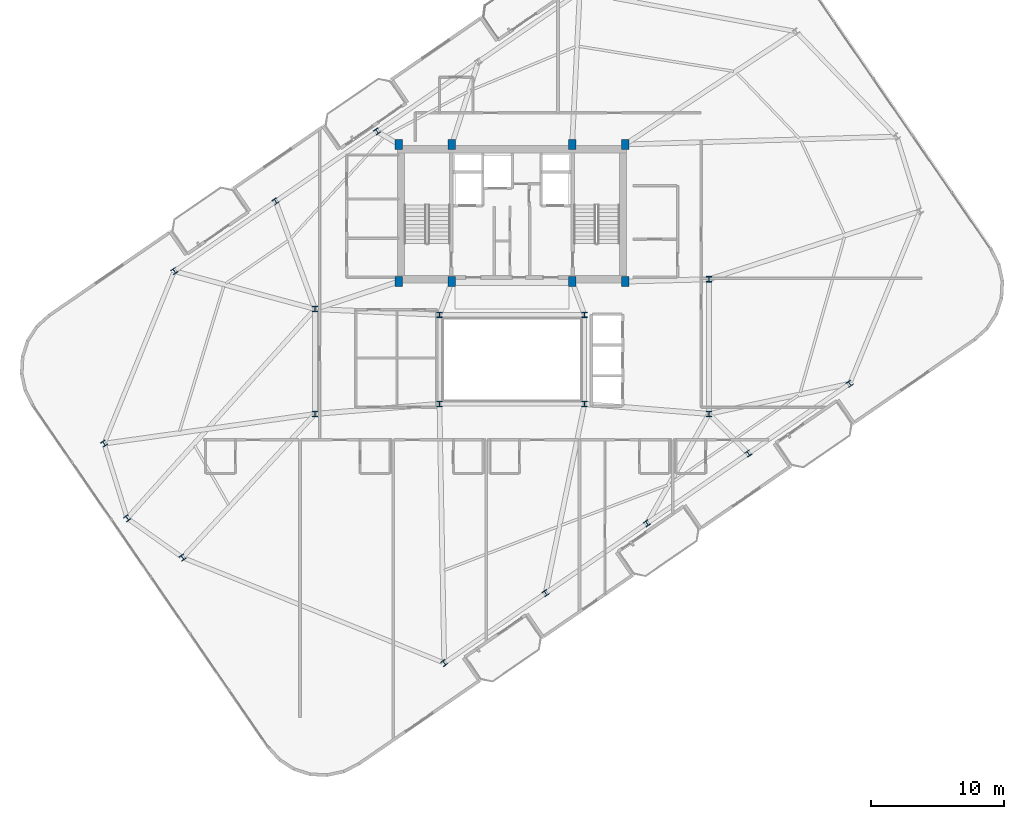
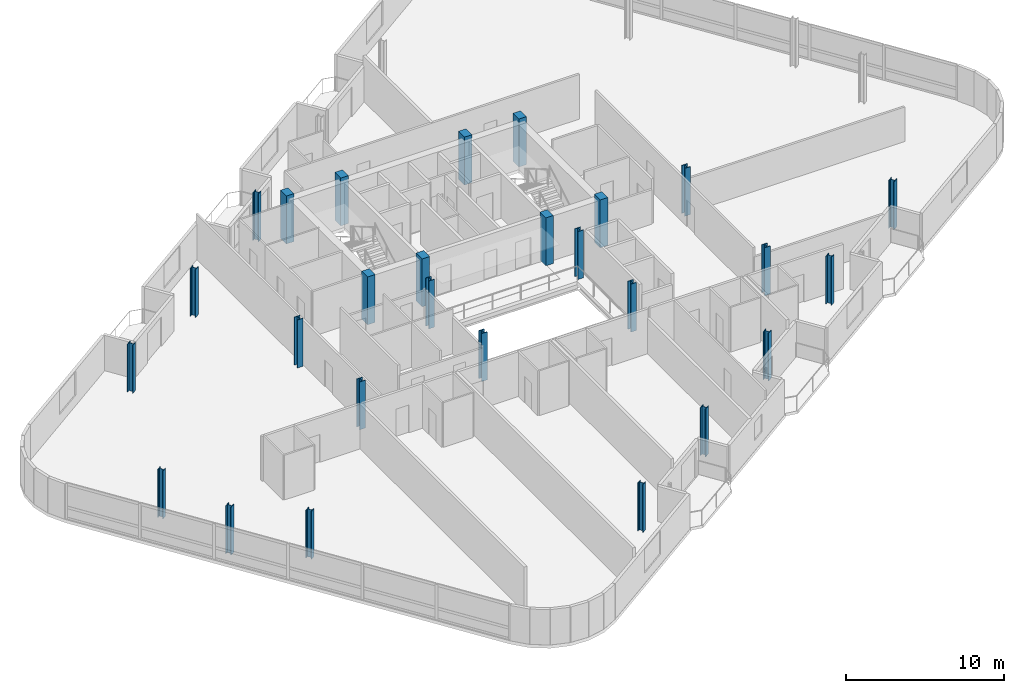
# One storey, part 1 of 22: 27 columns.
"""IFC4 building model written with IfcOpenShell, lengths in metres."""

import ifcopenshell
import ifcopenshell.guid

model = None  # the IFC model being written
_history = None  # IfcOwnerHistory: only IFC2X3 demands one
_inside = {}  # id of a spatial element -> (the spatial element, [elements in it])
_under = {}  # id of a project, library or spatial element -> (it, [spatial elements below it])
_declared = {}  # id of a project -> (the project, [libraries it declares])
_typed = {}  # id of a type object -> (the type object, [elements of that type])
_made_of = {}  # id of a material, layer set ... -> (it, [elements and type objects made of it])


def new_model(schema):
    """Start an empty IFC model of exactly this schema.

    Asked for "IFC4X3", IfcOpenShell would pick the latest addendum, in which some entities
    have other attributes; the version numbers below select the first issue.
    IFC2X3 requires an IfcOwnerHistory on every rooted entity: one is made here for all.
    """
    global model, _history
    if schema == "IFC4X3":
        model = ifcopenshell.file(schema_version=(4, 3, 0, 0))
    else:
        model = ifcopenshell.file(schema=schema)
    _inside.clear()
    _under.clear()
    _declared.clear()
    _typed.clear()
    _made_of.clear()
    _history = None
    if model.schema == "IFC2X3":
        org = make("IfcOrganization", Name="unknown")
        user = make(
            "IfcPersonAndOrganization",
            ThePerson=make("IfcPerson", FamilyName="unknown"),
            TheOrganization=org,
        )
        app = make(
            "IfcApplication",
            ApplicationDeveloper=org,
            Version="unknown",
            ApplicationFullName="unknown",
            ApplicationIdentifier="unknown",
        )
        _history = make(
            "IfcOwnerHistory",
            OwningUser=user,
            OwningApplication=app,
            ChangeAction="ADDED",
            CreationDate=0,
        )
    return model


def make(cls, **values):
    """One entity of the class cls with the attributes given. An attribute that is None is left unset."""
    return model.create_entity(
        cls, **{name: value for name, value in values.items() if value is not None}
    )


def rooted(cls, **values):
    """An entity with a GlobalId (a new one), such as an element, a storey or a relation."""
    return make(cls, GlobalId=ifcopenshell.guid.new(), OwnerHistory=_history, **values)


def si_unit(unit_type, name, prefix=None):
    """IfcSIUnit, for example si_unit("LENGTHUNIT", "METRE", prefix="MILLI")."""
    return make("IfcSIUnit", UnitType=unit_type, Prefix=prefix, Name=name)


def assignment(units):
    """IfcUnitAssignment: the units of a project."""
    return None if units is None else make("IfcUnitAssignment", Units=units)


def point(xyz):
    """IfcCartesianPoint."""
    return None if xyz is None else make("IfcCartesianPoint", Coordinates=xyz)


def direction(xyz):
    """IfcDirection."""
    return None if xyz is None else make("IfcDirection", DirectionRatios=xyz)


def frame(location, z_axis=None, x_axis=None):
    """IfcAxis2Placement3D, a coordinate frame: its origin and axes. An axis left out is left unset."""
    return make(
        "IfcAxis2Placement3D",
        Location=point(location),
        Axis=direction(z_axis),
        RefDirection=direction(x_axis),
    )


def frame_2d(location, x_axis=None):
    """IfcAxis2Placement2D, a coordinate frame in the plane: its origin and x axis."""
    return make(
        "IfcAxis2Placement2D", Location=point(location), RefDirection=direction(x_axis)
    )


def origin():
    """The frame at (0, 0, 0) with its axes left unset."""
    return frame((0.0, 0.0, 0.0))


def origin_2d():
    """The frame at (0, 0) in the plane with its x axis left unset."""
    return frame_2d((0.0, 0.0))


def place(relative_to, where):
    """IfcLocalPlacement: puts the frame where relative to a parent placement (None: the world)."""
    return make(
        "IfcLocalPlacement", PlacementRelTo=relative_to, RelativePlacement=where
    )


def context(
    kind, dimensions, precision=None, world=None, true_north=None, identifier=None
):
    """IfcGeometricRepresentationContext, for example the 3D "Model" context."""
    return make(
        "IfcGeometricRepresentationContext",
        ContextIdentifier=identifier,
        ContextType=kind,
        CoordinateSpaceDimension=dimensions,
        Precision=precision,
        WorldCoordinateSystem=world,
        TrueNorth=true_north,
    )


def subcontext(parent, identifier, kind, view, scale=None):
    """IfcGeometricRepresentationSubContext, for example "Body" below "Model"."""
    return make(
        "IfcGeometricRepresentationSubContext",
        ContextIdentifier=identifier,
        ContextType=kind,
        ParentContext=parent,
        TargetScale=scale,
        TargetView=view,
    )


def project(units=None, contexts=None):
    """IfcProject with its units and contexts."""
    return rooted(
        "IfcProject",
        Name="project",
        RepresentationContexts=contexts,
        UnitsInContext=assignment(units),
    )


def spatial(cls, under=None, at=None, **own):
    """A site, building, storey or space (cls), placed at a placement, below another one or the project."""
    s = rooted(cls, ObjectPlacement=at, **own)
    if under is not None:
        _under.setdefault(under.id(), (under, []))[1].append(s)
    return s


def profile(cls, at=None, kind="AREA", **sizes):
    """A parametric profile (cls). Its sizes go by their IFC names, for example OverallWidth=200.0."""
    return make(cls, ProfileType=kind, Position=at, **sizes)


def rectangle(**sizes):
    """IfcRectangleProfileDef."""
    return profile("IfcRectangleProfileDef", **sizes)


def i_section(**sizes):
    """IfcIShapeProfileDef."""
    return profile("IfcIShapeProfileDef", **sizes)


def extrude(swept, where, along, depth):
    """IfcExtrudedAreaSolid: the profile swept, set in the frame where, extruded along a direction by depth."""
    return make(
        "IfcExtrudedAreaSolid",
        SweptArea=swept,
        Position=where,
        ExtrudedDirection=direction(along),
        Depth=depth,
    )


def shape(context_of_items, identifier, shape_type, items):
    """IfcShapeRepresentation: the items that make up one representation, for example the "Body"."""
    return make(
        "IfcShapeRepresentation",
        ContextOfItems=context_of_items,
        RepresentationIdentifier=identifier,
        RepresentationType=shape_type,
        Items=items,
    )


def material(Name=None, Category=None):
    """IfcMaterial."""
    return make("IfcMaterial", Name=Name, Category=Category)


def material_profile(
    of_material, cross_section, Name=None, Category=None, Priority=None
):
    """IfcMaterialProfile: a cross section and its material."""
    return make(
        "IfcMaterialProfile",
        Name=Name,
        Material=of_material,
        Profile=cross_section,
        Priority=Priority,
        Category=Category,
    )


def profile_set(profiles, Name=None, composite=None):
    """IfcMaterialProfileSet."""
    return make(
        "IfcMaterialProfileSet",
        Name=Name,
        MaterialProfiles=profiles,
        CompositeProfile=composite,
    )


def made_of(thing, what):
    """Note that an element or type object is made of a material, layer set ...; save() writes the relation."""
    if what is not None:
        _made_of.setdefault(what.id(), (what, []))[1].append(thing)
    return thing


def type_object(cls, material=None, **own):
    """A type object (cls), such as IfcWallType, which elements share."""
    return made_of(rooted(cls, **own), material)


def element(
    cls,
    number,
    at=None,
    inside=None,
    cuts=None,
    type_object=None,
    material=None,
    context=None,
    identifier="Body",
    shape_type=None,
    held_by="IfcProductDefinitionShape",
    body=None,
    shapes=None,
    **own,
):
    """One element of the class cls, such as IfcWall. Its Tag is "e" and its number.

    at: its placement. inside: the storey or other place that contains it. cuts: it is an
    opening in that element (IfcRelVoidsElement). A single representation is given by context,
    identifier, shape_type and body (its items); several are given by shapes. held_by: the class
    of the entity that holds the representations. save() writes the other relations.
    """
    e = rooted(cls, Tag="e%d" % number, ObjectPlacement=at, **own)
    if body is not None:
        shapes = [shape(context, identifier, shape_type, body)]
    if shapes is not None:
        e.Representation = make(held_by, Representations=shapes)
    if inside is not None:
        _inside.setdefault(inside.id(), (inside, []))[1].append(e)
    if cuts is not None:
        rooted(
            "IfcRelVoidsElement", RelatingBuildingElement=cuts, RelatedOpeningElement=e
        )
    if type_object is not None:
        _typed.setdefault(type_object.id(), (type_object, []))[1].append(e)
    return made_of(e, material)


def aggregate(whole, parts):
    """IfcRelAggregates: a whole, such as a stair, and the parts it consists of."""
    return rooted("IfcRelAggregates", RelatingObject=whole, RelatedObjects=parts)


def save(model, path):
    """Write the relations noted so far, then the file.

    IfcRelAggregates (storeys below a building ...), IfcRelContainedInSpatialStructure (elements
    in a storey), IfcRelDefinesByType, IfcRelAssociatesMaterial and IfcRelDeclares: one each for
    every whole, place, type object, material and project.
    """
    for whole, parts in _under.values():
        aggregate(whole, parts)
    for where, things in _inside.values():
        rooted(
            "IfcRelContainedInSpatialStructure",
            RelatedElements=things,
            RelatingStructure=where,
        )
    for kind, things in _typed.values():
        rooted("IfcRelDefinesByType", RelatedObjects=things, RelatingType=kind)
    for what, things in _made_of.values():
        rooted("IfcRelAssociatesMaterial", RelatedObjects=things, RelatingMaterial=what)
    for by, libraries in _declared.values():
        rooted("IfcRelDeclares", RelatingContext=by, RelatedDefinitions=libraries)
    model.write(path)


model = new_model("IFC4")

# Units and contexts
model_context = context("Model", 3, precision=1e-05, world=origin(), true_north=direction((0.0, 1.0)))
body_context = subcontext(model_context, "Body", "Model", "MODEL_VIEW")
ifc_project = project(units=[si_unit("LENGTHUNIT", "METRE"), si_unit("AREAUNIT", "SQUARE_METRE"), si_unit("VOLUMEUNIT", "CUBIC_METRE"), si_unit("PLANEANGLEUNIT", "RADIAN"), si_unit("MASSUNIT", "GRAM", prefix="KILO")], contexts=[model_context])

# Site, building, storey
site_placement = place(None, origin())
site = spatial("IfcSite", under=ifc_project, at=site_placement, CompositionType="ELEMENT")
building_placement = place(site_placement, origin())
building = spatial("IfcBuilding", under=site, at=building_placement, Name="Varnelok Gate Tower", CompositionType="ELEMENT")
storey_placement = place(building_placement, frame((0.0, 0.0, 284.10009765625)))
storey = spatial("IfcBuildingStorey", under=building, at=storey_placement, Name="L73", CompositionType="ELEMENT", Elevation=284.10009765625)

# Columns
ifc_material_1 = material(Name="Concrete C50/60", Category="concrete")
ifc_material_profile_1 = material_profile(ifc_material_1, rectangle(XDim=0.550048828125, YDim=0.75, at=origin_2d()), Name="RC750X550")
ifc_profile_set_1 = profile_set([ifc_material_profile_1], Name="Concrete C50/60")
column_type_1 = type_object("IfcColumnType", Name="COL-RC750X550", PredefinedType="COLUMN", material=ifc_profile_set_1)
for number, where, z_axis, x_axis, name in (
    (1, (30.699951171875, 28.75, 0.0), (0.0, 0.0, 1.0), (1.0, 0.0, 0.0), "L73 Core Spine Column SC1"),
    (2, (34.679931640625, 28.75, 0.0), (0.0, 0.0, 1.0), (1.0, 0.0, 0.0), "L73 Core Spine Column SC2"),
    (3, (43.719970703125, 28.75, 0.0), (0.0, 0.0, 1.0), (1.0, 0.0, 0.0), "L73 Core Spine Column SC3"),
    (4, (47.699951171875, 28.75, 0.0), (0.0, 0.0, 1.0), (1.0, 0.0, 0.0), "L73 Core Spine Column SC4"),
    (5, (30.699951171875, 39.050048828125, 0.0), (0.0, 0.0, 1.0), (1.0, 0.0, 0.0), "L73 Core Spine Column SC5"),
    (6, (34.679931640625, 39.050048828125, 0.0), (0.0, 0.0, 1.0), (1.0, 0.0, 0.0), "L73 Core Spine Column SC6"),
    (7, (43.719970703125, 39.050048828125, 0.0), (0.0, 0.0, 1.0), (1.0, 0.0, 0.0), "L73 Core Spine Column SC7"),
    (8, (47.699951171875, 39.050048828125, 0.0), (0.0, 0.0, 1.0), (1.0, 0.0, 0.0), "L73 Core Spine Column SC8"),
):
    element("IfcColumn", number, at=place(storey_placement, frame(where, z_axis=z_axis, x_axis=x_axis)), inside=storey, type_object=column_type_1, Name=name, PredefinedType="COLUMN", context=body_context, shape_type="SweptSolid", body=[
        extrude(rectangle(XDim=0.550048828125, YDim=0.75, at=origin_2d()), origin(), (0.0, 0.0, 1.0), 3.699951171875),
    ])
ifc_material_2 = material(Name="Structural Steel ASTM A992 Grade 50", Category="steel")
ifc_material_profile_2 = material_profile(ifc_material_2, i_section(OverallWidth=0.40087890625, OverallDepth=0.39892578125, WebThickness=0.02490234375, FlangeThickness=0.03955078125, FilletRadius=0.02197265625, at=origin_2d()), Name="W14X211")
ifc_profile_set_2 = profile_set([ifc_material_profile_2], Name="Structural Steel ASTM A992 Grade 50")
column_type_2 = type_object("IfcColumnType", Name="COL-W14X211", PredefinedType="COLUMN", material=ifc_profile_set_2)
for number, where, z_axis, x_axis, name in (
    (9, (34.107421875, 0.080810546875, 0.0), (0.0, 0.0, 1.0), (0.823532597628, 0.567268949127, 0.0), "L73 B6 Perimeter Column PC01"),
    (10, (41.72509765625, 5.327880859375, 0.0), (0.0, 0.0, 1.0), (0.823532597628, 0.567268949127, 0.0), "L73 B6 Perimeter Column PC02"),
    (11, (49.3427734375, 10.5751953125, 0.0), (0.0, 0.0, 1.0), (0.823532597628, 0.567268949127, 0.0), "L73 B6 Perimeter Column PC03"),
    (12, (56.96044921875, 15.822509765625, 0.0), (0.0, 0.0, 1.0), (0.823532597628, 0.567268949127, 0.0), "L73 B6 Perimeter Column PC04"),
    (13, (64.578125, 21.069580078125, 0.0), (0.0, 0.0, 1.0), (0.823532597628, 0.567268949127, 0.0), "L73 B6 Perimeter Column PC05"),
    (14, (29.05712890625, 40.02490234375, 0.0), (0.0, 0.0, 1.0), (0.823532597628, 0.567268949127, 0.0), "L73 B6 Perimeter Column PC11"),
    (15, (21.439697265625, 34.777587890625, 0.0), (0.0, 0.0, 1.0), (0.823532597628, 0.567268949127, 0.0), "L73 B6 Perimeter Column PC12"),
    (16, (13.822021484375, 29.5302734375, 0.0), (0.0, 0.0, 1.0), (0.823532597628, 0.567268949127, 0.0), "L73 B6 Perimeter Column PC13"),
    (17, (8.543212890625, 16.568603515625, 0.0), (0.0, 0.0, 1.0), (0.823532597628, 0.567268949127, 0.0), "L73 B6 Perimeter Column PC14"),
    (18, (10.284423828125, 10.955810546875, 0.0), (0.0, 0.0, 1.0), (0.823532597628, 0.567268949127, 0.0), "L73 B6 Perimeter Column PC15"),
    (19, (14.44287109375, 8.00390625, 0.0), (0.0, 0.0, 1.0), (0.823532597628, 0.567268949127, 0.0), "L73 B6 Perimeter Column PC16"),
):
    element("IfcColumn", number, at=place(storey_placement, frame(where, z_axis=z_axis, x_axis=x_axis)), inside=storey, type_object=column_type_2, Name=name, PredefinedType="COLUMN", context=body_context, shape_type="SweptSolid", body=[
        extrude(i_section(OverallWidth=0.40087890625, OverallDepth=0.39892578125, WebThickness=0.02490234375, FlangeThickness=0.03955078125, FilletRadius=0.02197265625, at=origin_2d()), origin(), (0.0, 0.0, 1.0), 3.699951171875),
    ])
ifc_material_profile_3 = material_profile(ifc_material_2, i_section(OverallWidth=0.406005859375, OverallDepth=0.416015625, WebThickness=0.02978515625, FlangeThickness=0.048095703125, FilletRadius=0.02490234375, at=origin_2d()), Name="W14X257")
ifc_profile_set_3 = profile_set([ifc_material_profile_3], Name="Structural Steel ASTM A992 Grade 50")
column_type_3 = type_object("IfcColumnType", Name="COL-W14X257", PredefinedType="COLUMN", material=ifc_profile_set_3)
for number, where, z_axis, x_axis, name in (
    (20, (33.75, 19.550048828125, 0.0), (0.0, 0.0, 1.0), (1.0, 0.0, 0.0), "L73 Atrium Spine Column AC1"),
    (21, (44.64990234375, 19.550048828125, 0.0), (0.0, 0.0, 1.0), (1.0, 0.0, 0.0), "L73 Atrium Spine Column AC2"),
    (22, (33.75, 26.25, 0.0), (0.0, 0.0, 1.0), (1.0, 0.0, 0.0), "L73 Atrium Spine Column AC3"),
    (23, (44.64990234375, 26.25, 0.0), (0.0, 0.0, 1.0), (1.0, 0.0, 0.0), "L73 Atrium Spine Column AC4"),
    (24, (24.39990234375, 18.800048828125, 0.0), (0.0, 0.0, 1.0), (1.0, 0.0, 0.0), "L73 Wing Spine Column WS1"),
    (25, (24.39990234375, 26.679931640625, 0.0), (0.0, 0.0, 1.0), (1.0, 0.0, 0.0), "L73 Wing Spine Column WS2"),
    (26, (54.0, 18.800048828125, 0.0), (0.0, 0.0, 1.0), (1.0, 0.0, 0.0), "L73 Wing Spine Column ES1"),
    (27, (54.0, 28.919921875, 0.0), (0.0, 0.0, 1.0), (1.0, 0.0, 0.0), "L73 Wing Spine Column ES2"),
):
    element("IfcColumn", number, at=place(storey_placement, frame(where, z_axis=z_axis, x_axis=x_axis)), inside=storey, type_object=column_type_3, Name=name, PredefinedType="COLUMN", context=body_context, shape_type="SweptSolid", body=[
        extrude(i_section(OverallWidth=0.406005859375, OverallDepth=0.416015625, WebThickness=0.02978515625, FlangeThickness=0.048095703125, FilletRadius=0.02490234375, at=origin_2d()), origin(), (0.0, 0.0, 1.0), 3.699951171875),
    ])

save(model, "model.ifc")
